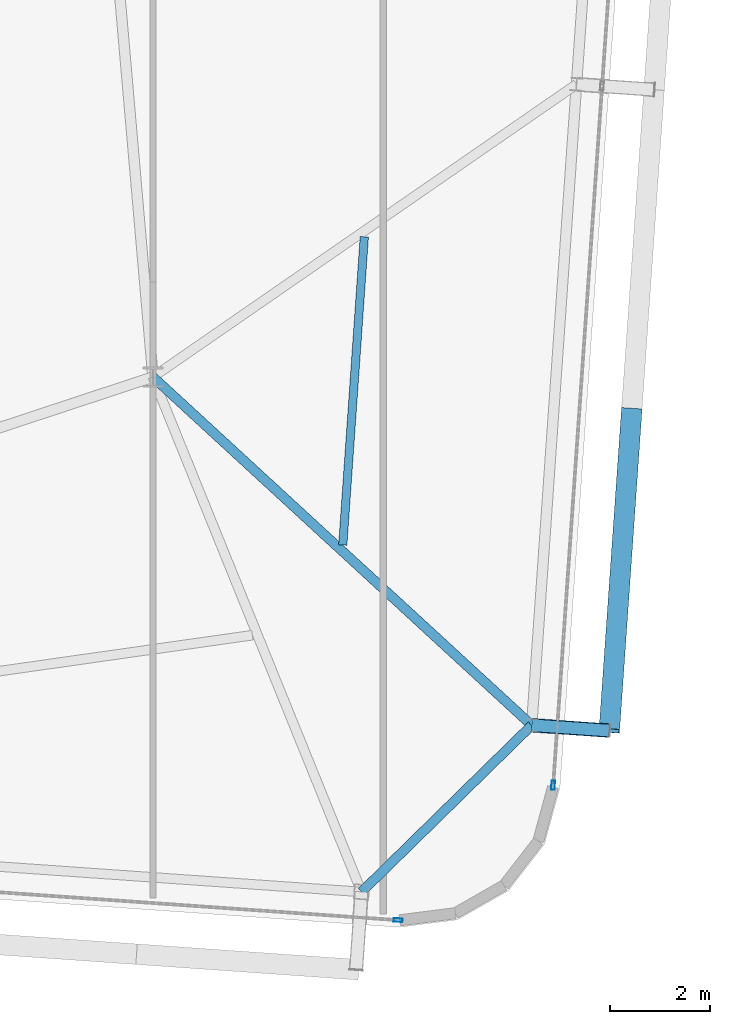
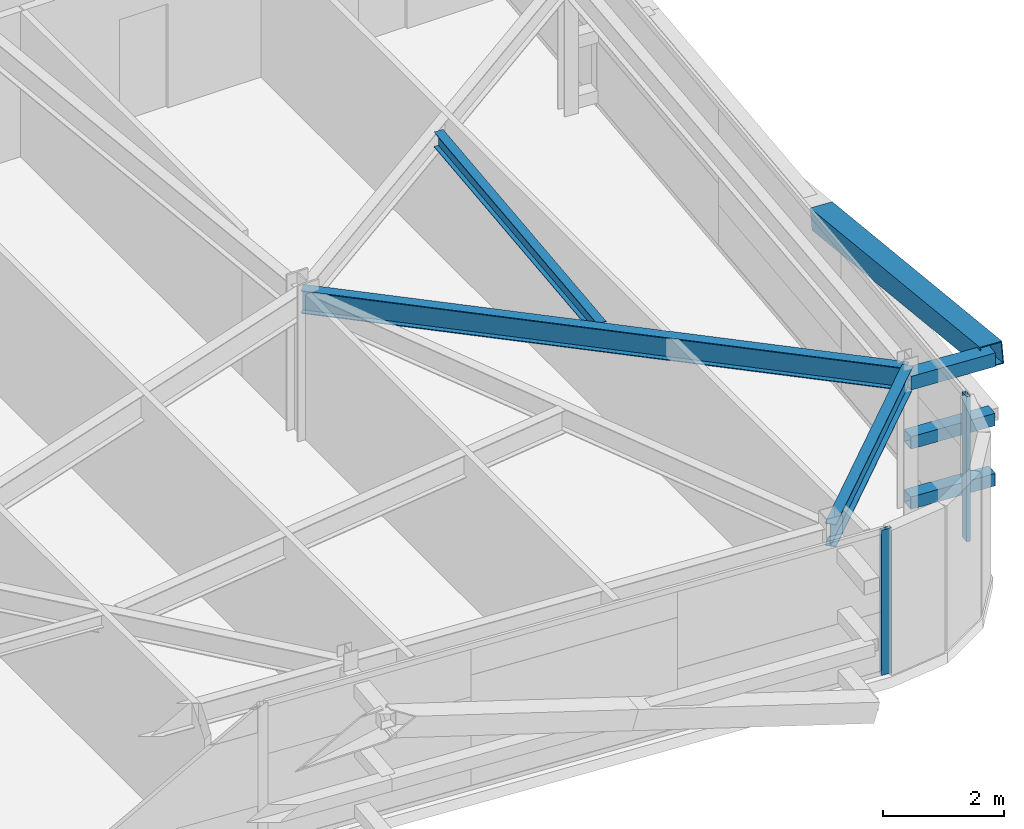
# One storey, part 15 of 39: 6 members, 3 beams, 2 elements without a shape of their own.
"""IFC4 building model written with IfcOpenShell, lengths in metres."""

from ifc_helpers import new_model, si_unit, direction, frame, origin, origin_2d, place, context, subcontext, project, spatial, hollow_rectangle, i_section, extrude, source, transform, mapped, material, layer, layer_set, material_profile, profile_set, type_object, element, aggregate, save


model = new_model("IFC4")

# Units and contexts
model_context = context("Model", 3, precision=1e-05, world=origin(), true_north=direction((0.0, 1.0)))
body_context = subcontext(model_context, "Body", "Model", "MODEL_VIEW")
ifc_project = project(units=[si_unit("LENGTHUNIT", "METRE"), si_unit("AREAUNIT", "SQUARE_METRE"), si_unit("VOLUMEUNIT", "CUBIC_METRE"), si_unit("PLANEANGLEUNIT", "RADIAN"), si_unit("MASSUNIT", "GRAM", prefix="KILO")], contexts=[model_context])

# Site, building, storey
site_placement = place(None, origin())
site = spatial("IfcSite", under=ifc_project, at=site_placement, CompositionType="ELEMENT")
building_placement = place(site_placement, origin())
building = spatial("IfcBuilding", under=site, at=building_placement, Name="Taldren Reach Tower", CompositionType="ELEMENT")
storey_placement = place(building_placement, frame((0.0, 0.0, 136.14990234375)))
storey = spatial("IfcBuildingStorey", under=building, at=storey_placement, Name="L41", CompositionType="ELEMENT", Elevation=136.14990234375)

# Members
ifc_material_1 = material(Name="Steel Gr 450 (C450L0)", Category="steel")
ifc_material_profile_1 = material_profile(ifc_material_1, hollow_rectangle(XDim=0.27490234375, YDim=0.27490234375, WallThickness=0.00927734375, at=origin_2d()), Name="275x275x9.3SHS")
ifc_profile_set_1 = profile_set([ifc_material_profile_1], Name="Steel Gr 450 (C450L0)")
member_type_1 = type_object("IfcMemberType", Name="MB-TIE273", PredefinedType="STRUT", material=ifc_profile_set_1)
shared_shape_1 = source(origin(), body_context, "Body", "SweptSolid", [
    extrude(hollow_rectangle(XDim=0.27490234375, YDim=0.27490234375, WallThickness=0.00927734375, at=origin_2d()), origin(), (0.0, 0.0, 1.0), 1.5498046875),
])
member_1_placement = place(storey_placement, frame((59.54541015625, 5.562744140625, 2.650146484375), z_axis=(0.997573320145, -0.069623781384, 0.0), x_axis=(0.069623781384, 0.997573320145, 0.0)))
element("IfcMember", 1, at=member_1_placement, inside=storey, type_object=member_type_1, Name="Exoskeleton diaphragm tie strut B3-E1 L41", PredefinedType="STRUT", context=body_context, shape_type="MappedRepresentation", body=[
    mapped(shared_shape_1, transform((0.0, 0.0, 0.0), scale=1.0)),
])
ifc_material_2 = material(Name="Steel Gr 350 (C350L0)", Category="steel")
ifc_material_profile_2 = material_profile(ifc_material_2, hollow_rectangle(XDim=0.25, YDim=0.25, WallThickness=0.010009765625, at=origin_2d()), Name="250x250x10.0SHS")
ifc_profile_set_2 = profile_set([ifc_material_profile_2], Name="Steel Gr 350 (C350L0)")
member_type_2 = type_object("IfcMemberType", Name="MB-POST250", PredefinedType="POST", material=ifc_profile_set_2)
shared_shape_2 = source(origin(), body_context, "Body", "SweptSolid", [
    extrude(hollow_rectangle(XDim=0.25, YDim=0.25, WallThickness=0.010009765625, at=origin_2d()), origin(), (0.0, 0.0, 1.0), 1.5498046875),
])
for number, where, z_axis, x_axis, name in (
    (2, (59.54541015625, 5.562744140625, 0.22021484375), (0.997573320145, -0.069623781384, 0.0), (0.069623781384, 0.997573320145, 0.0), "Exoskeleton base diaphragm tie strut B3-E1 L41"),
    (3, (59.54541015625, 5.562744140625, 1.43505859375), (0.997573320145, -0.069623781384, 0.0), (0.069623781384, 0.997573320145, 0.0), "Exoskeleton mid-tier diaphragm tie B3-E1 L41"),
):
    element("IfcMember", number, at=place(storey_placement, frame(where, z_axis=z_axis, x_axis=x_axis)), inside=storey, type_object=member_type_2, Name=name, PredefinedType="POST", context=body_context, shape_type="MappedRepresentation", body=[
        mapped(shared_shape_2, transform((0.0, 0.0, 0.0), scale=1.0)),
    ])

# Beams
ifc_material_3 = material(Name="Steel Gr 350 (350PLUS)", Category="steel")
ifc_material_profile_3 = material_profile(ifc_material_3, i_section(OverallWidth=0.18994140625, OverallDepth=0.4541015625, WebThickness=0.008544921875, FlangeThickness=0.0126953125, at=origin_2d()), Name="460UB67.1")
ifc_profile_set_3 = profile_set([ifc_material_profile_3], Name="Steel Gr 350 (350PLUS)")
beam_type_1 = type_object("IfcBeamType", Name="SP-UB460B", PredefinedType="SPANDREL", material=ifc_profile_set_3)
shared_shape_3 = source(origin(), body_context, "Body", "SweptSolid", [
    extrude(i_section(OverallWidth=0.18994140625, OverallDepth=0.4541015625, WebThickness=0.008544921875, FlangeThickness=0.0126953125, at=origin_2d()), origin(), (0.0, 0.0, 1.0), 4.745849609375),
])
beam_1_placement = place(storey_placement, frame((56.155517578125, 2.2412109375, 2.703125), z_axis=(0.714271982806, 0.699868226581, 0.0), x_axis=(-0.699868226581, 0.714271982806, 0.0)))
element("IfcBeam", 4, at=beam_1_placement, inside=storey, type_object=beam_type_1, Name="Perimeter spandrel B3 S6-E1 L41", PredefinedType="SPANDREL", context=body_context, shape_type="MappedRepresentation", body=[
    mapped(shared_shape_3, transform((0.0, 0.0, 0.0), scale=1.0)),
])
ifc_material_profile_4 = material_profile(ifc_material_3, i_section(OverallWidth=0.19091796875, OverallDepth=0.4599609375, WebThickness=0.010009765625, FlangeThickness=0.01611328125, at=origin_2d()), Name="460UB82.1")
ifc_profile_set_4 = profile_set([ifc_material_profile_4], Name="Steel Gr 350 (350PLUS)")
beam_type_2 = type_object("IfcBeamType", Name="BM-UB460A", PredefinedType="BEAM", material=ifc_profile_set_4)
shared_shape_4 = source(origin(), body_context, "Body", "SweptSolid", [
    extrude(i_section(OverallWidth=0.19091796875, OverallDepth=0.4599609375, WebThickness=0.010009765625, FlangeThickness=0.01611328125, at=origin_2d()), origin(), (0.0, 0.0, 1.0), 10.249755859375),
])
beam_2_placement = place(storey_placement, frame((52.0, 12.5, 2.7001953125), z_axis=(0.736150772628, -0.676817582483, 0.0), x_axis=(0.676817582483, 0.736150772628, 0.0)))
element("IfcBeam", 5, at=beam_2_placement, inside=storey, type_object=beam_type_2, Name="Primary floor girder B3-E1 L41", PredefinedType="BEAM", context=body_context, shape_type="MappedRepresentation", body=[
    mapped(shared_shape_4, transform((0.0, 0.0, 0.0), scale=1.0)),
])
ifc_material_4 = material(Name="Steel Gr 300 (300PLUS, 300 MPa)", Category="steel")
ifc_material_profile_5 = material_profile(ifc_material_4, i_section(OverallWidth=0.166015625, OverallDepth=0.306884765625, WebThickness=0.006591796875, FlangeThickness=0.01171875, at=origin_2d()), Name="310UB46.2")
ifc_profile_set_5 = profile_set([ifc_material_profile_5], Name="Steel Gr 300 (300PLUS, 300 MPa)")
beam_type_3 = type_object("IfcBeamType", Name="JS-UB310", PredefinedType="JOIST", material=ifc_profile_set_5)
shared_shape_5 = source(origin(), body_context, "Body", "SweptSolid", [
    extrude(i_section(OverallWidth=0.166015625, OverallDepth=0.306884765625, WebThickness=0.006591796875, FlangeThickness=0.01171875, at=origin_2d()), origin(), (0.0, 0.0, 1.0), 6.155517578125),
])
beam_3_placement = place(storey_placement, frame((55.78125, 9.1533203125, 2.776611328125), z_axis=(0.069764400024, 0.997563495969, 0.0), x_axis=(-0.997563495969, 0.069764400024, 0.0)))
element("IfcBeam", 6, at=beam_3_placement, inside=storey, type_object=beam_type_3, Name="Secondary floor joist B3 J7 L41", PredefinedType="JOIST", context=body_context, shape_type="MappedRepresentation", body=[
    mapped(shared_shape_5, transform((0.0, 0.0, 0.0), scale=1.0)),
])

# Member
ifc_material_profile_6 = material_profile(ifc_material_1, hollow_rectangle(XDim=0.409912109375, YDim=0.409912109375, WallThickness=0.01611328125, at=origin_2d()), Name="410x410x16.0SHS")
ifc_profile_set_6 = profile_set([ifc_material_profile_6], Name="Steel Gr 450 (C450L0)")
member_type_3 = type_object("IfcMemberType", Name="MB-EXO406", PredefinedType="BRACE", material=ifc_profile_set_6)
shared_shape_6 = source(origin(), body_context, "Body", "SweptSolid", [
    extrude(hollow_rectangle(XDim=0.409912109375, YDim=0.409912109375, WallThickness=0.01611328125, at=origin_2d()), origin(), (0.0, 0.0, 1.0), 6.51416015625),
])
member_2_placement = place(storey_placement, frame((61.5380859375, 11.839111328125, 1.43505859375), z_axis=(-0.068547644544, -0.980055169399, 0.186529046964), x_axis=(0.997562951496, -0.069772185021, 0.0)))
element("IfcMember", 7, at=member_2_placement, inside=storey, type_object=member_type_3, Name="Exoskeleton Diagrid Brace B3-E1 L41", PredefinedType="BRACE", context=body_context, shape_type="MappedRepresentation", body=[
    mapped(shared_shape_6, transform((0.0, 0.0, 0.0), scale=1.0)),
])

# Curtain wall, member
ifc_material_5 = material(Name="Aluminium and Low-E Glass Unitised System", Category="aluminium")
ifc_layer = layer(ifc_material_5, 0.159912109375)
ifc_layer_set = layer_set([ifc_layer], Name="Aluminium and Low-E Glass Unitised System")
curtain_wall_type = type_object("IfcCurtainWallType", Name="CW-SYS-4", PredefinedType="NOTDEFINED", material=ifc_layer_set)
curtain_wall_1_placement = place(storey_placement, origin())
curtain_wall_1 = element("IfcCurtainWall", 8, at=curtain_wall_1_placement, inside=storey, type_object=curtain_wall_type, Name="Unitised curtain wall CW-L41-S", PredefinedType="NOTDEFINED")
ifc_material_6 = material(Name="Anodised Aluminium 6063-T6", Category="aluminium")
ifc_material_profile_7 = material_profile(ifc_material_6, hollow_rectangle(XDim=0.070068359375, YDim=0.179931640625, WallThickness=0.00390625, at=origin_2d()), Name="ALU-180x70x4RHS")
ifc_profile_set_7 = profile_set([ifc_material_profile_7], Name="Anodised Aluminium 6063-T6")
member_type_4 = type_object("IfcMemberType", Name="CW-MUL-180", PredefinedType="MULLION", material=ifc_profile_set_7)
shared_shape_7 = source(origin(), body_context, "Body", "SweptSolid", [
    extrude(hollow_rectangle(XDim=0.070068359375, YDim=0.179931640625, WallThickness=0.00390625, at=origin_2d()), origin(), (0.0, 0.0, 1.0), 2.93017578125),
])
member_3_placement = place(storey_placement, frame((56.883056640625, 1.67919921875, 0.0), z_axis=(0.0, 0.0, 1.0), x_axis=(0.06975651593, 0.99756404731, 0.0)))
member_3 = element("IfcMember", 9, at=member_3_placement, type_object=member_type_4, Name="CW-4 mullion 5", PredefinedType="MULLION", context=body_context, shape_type="MappedRepresentation", body=[
    mapped(shared_shape_7, transform((0.0, 0.0, 0.0), scale=1.0)),
])
aggregate(curtain_wall_1, [member_3])

curtain_wall_2_placement = place(storey_placement, origin())
curtain_wall_2 = element("IfcCurtainWall", 10, at=curtain_wall_2_placement, inside=storey, type_object=curtain_wall_type, Name="Unitised curtain wall CW-L41-E", PredefinedType="NOTDEFINED")
member_4_placement = place(storey_placement, frame((59.972900390625, 4.365234375, 0.0), z_axis=(0.0, 0.0, 1.0), x_axis=(-0.997564052812, 0.069756437251, 0.0)))
member_4 = element("IfcMember", 11, at=member_4_placement, type_object=member_type_4, Name="CW-4 mullion 1", PredefinedType="MULLION", context=body_context, shape_type="MappedRepresentation", body=[
    mapped(shared_shape_7, transform((0.0, 0.0, 0.0), scale=1.0)),
])
aggregate(curtain_wall_2, [member_4])

save(model, "model.ifc")
